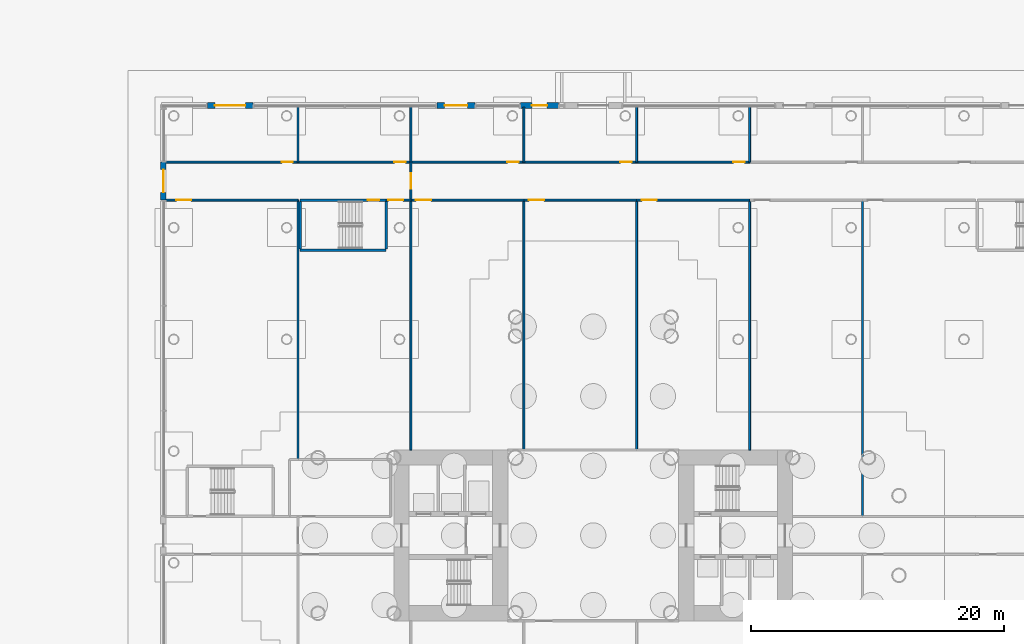
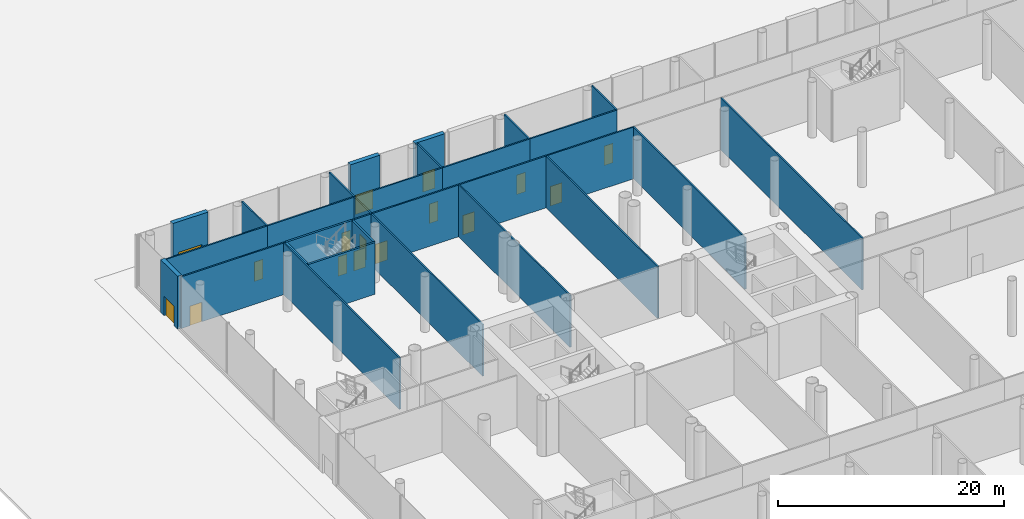
# One storey, part 34 of 75: 30 walls, 16 doors, 16 openings.
"""IFC4 building model written with IfcOpenShell, lengths in metres."""

from ifc_helpers import new_model, si_unit, direction, frame, frame_2d, origin, place, context, subcontext, project, spatial, rectangle, extrude, material, layer, layer_set, type_object, element, fill, save


model = new_model("IFC4")

# Units and contexts
model_context = context("Model", 3, precision=1e-05, world=origin(), true_north=direction((0.0, 1.0)))
body_context = subcontext(model_context, "Body", "Model", "MODEL_VIEW")
ifc_project = project(units=[si_unit("LENGTHUNIT", "METRE"), si_unit("AREAUNIT", "SQUARE_METRE"), si_unit("VOLUMEUNIT", "CUBIC_METRE"), si_unit("PLANEANGLEUNIT", "RADIAN"), si_unit("MASSUNIT", "GRAM", prefix="KILO")], contexts=[model_context])

# Site, building, storey
site_placement = place(None, origin())
site = spatial("IfcSite", under=ifc_project, at=site_placement, CompositionType="ELEMENT")
building_placement = place(site_placement, origin())
building = spatial("IfcBuilding", under=site, at=building_placement, Name="Ipe Terrace Towers", CompositionType="ELEMENT")
storey_placement = place(building_placement, origin())
storey = spatial("IfcBuildingStorey", under=building, at=storey_placement, Name="L00", CompositionType="ELEMENT", Elevation=0.0)

# Wall, opening, door
ifc_material_1 = material(Name="Gypsum board partition", Category="plasterboard")
ifc_layer_1 = layer(ifc_material_1, 0.14990234375)
ifc_layer_set_1 = layer_set([ifc_layer_1], Name="Gypsum board partition 150 mm")
wall_type_1 = type_object("IfcWallType", Name="Gypsum board partition 150 mm", PredefinedType="PARTITIONING", material=ifc_layer_set_1)
wall_1_placement = place(storey_placement, frame((-69.85009765625, 26.5, 0.0), z_axis=(0.0, 0.0, 1.0), x_axis=(1.0, 0.0, 0.0)))
wall_1 = element("IfcWall", 1, at=wall_1_placement, inside=storey, type_object=wall_type_1, Name="Gypsum board partition T1 L00 pd-r0-w2", PredefinedType="PARTITIONING", context=body_context, shape_type="SweptSolid", body=[
    extrude(rectangle(XDim=10.52001953125, YDim=0.14990234375, at=frame_2d((5.260009765625, 0.0))), origin(), (0.0, 0.0, 1.0), 5.580078125),
])
opening_1_placement = place(wall_1_placement, frame((0.89990234375, 0.0, 0.0)))
opening_1 = element("IfcOpeningElement", 2, at=opening_1_placement, cuts=wall_1, Name="Opening PD-L00-r0", PredefinedType="OPENING", context=body_context, shape_type="SweptSolid", body=[
    extrude(rectangle(XDim=1.199951171875, YDim=2.10009765625, at=frame_2d((0.60009765625, 1.050048828125))), frame((0.0, 0.0849609375, 0.0), z_axis=(0.0, -1.0, 0.0), x_axis=(1.0, 0.0, 0.0)), (0.0, 0.0, 1.0), 0.169921875),
])
ifc_material_2 = material(Name="Fire-rated timber door leaf", Category="wood")
door_type_1 = type_object("IfcDoorType", Name="Lounge door 1200 x 2100 FD30S", OperationType="NOTDEFINED", PredefinedType="DOOR", material=ifc_material_2)
door_1_placement = place(opening_1_placement, origin())
door_1 = element("IfcDoor", 3, at=door_1_placement, inside=storey, type_object=door_type_1, Name="Lounge door PD-L00-r0", OperationType="SINGLE_SWING_RIGHT", OverallHeight=2.10009765625, OverallWidth=1.199951171875, PredefinedType="DOOR", context=body_context, shape_type="SweptSolid", body=[
    extrude(rectangle(XDim=1.199951171875, YDim=2.10009765625, at=frame_2d((0.60009765625, 1.050048828125))), frame((0.0, 0.02490234375, 0.0), z_axis=(0.0, -1.0, 0.0), x_axis=(1.0, 0.0, 0.0)), (0.0, 0.0, 1.0), 0.050048828125),
])
fill(opening_1, door_1)

# Wall
wall_2_placement = place(storey_placement, frame((-59.330078125, 26.5, 0.0), z_axis=(0.0, 0.0, 1.0), x_axis=(0.0, -1.0, 0.0)))
element("IfcWall", 4, at=wall_2_placement, inside=storey, type_object=wall_type_1, Name="Gypsum board partition T1 L00 pd-r0-r7-w3", PredefinedType="PARTITIONING", context=body_context, shape_type="SweptSolid", body=[
    extrude(rectangle(XDim=20.5, YDim=0.14990234375, at=frame_2d((10.25, 0.0))), origin(), (0.0, 0.0, 1.0), 5.580078125),
])

# Wall, opening, door
wall_3_placement = place(storey_placement, frame((-59.330078125, 29.5, 0.0), z_axis=(0.0, 0.0, 1.0), x_axis=(-1.0, 0.0, 0.0)))
wall_3 = element("IfcWall", 5, at=wall_3_placement, inside=storey, type_object=wall_type_1, Name="Gypsum board partition T1 L00 pd-r3-w9", PredefinedType="PARTITIONING", context=body_context, shape_type="SweptSolid", body=[
    extrude(rectangle(XDim=10.52001953125, YDim=0.14990234375, at=frame_2d((5.260009765625, 0.0))), origin(), (0.0, 0.0, 1.0), 5.580078125),
])
opening_2_placement = place(wall_3_placement, frame((0.39990234375, 0.0, 0.0)))
opening_2 = element("IfcOpeningElement", 6, at=opening_2_placement, cuts=wall_3, Name="Opening PD-L00-r3", PredefinedType="OPENING", context=body_context, shape_type="SweptSolid", body=[
    extrude(rectangle(XDim=0.89990234375, YDim=2.10009765625, at=frame_2d((0.449951171875, 1.050048828125))), frame((0.0, 0.0849609375, 0.0), z_axis=(0.0, -1.0, 0.0), x_axis=(1.0, 0.0, 0.0)), (0.0, 0.0, 1.0), 0.169921875),
])
ifc_material_3 = material(Name="Fire-rated timber door leaf", Category="wood")
door_type_2 = type_object("IfcDoorType", Name="Lounge door 900 x 2100 FD30S", OperationType="NOTDEFINED", PredefinedType="DOOR", material=ifc_material_3)
door_2_placement = place(opening_2_placement, origin())
door_2 = element("IfcDoor", 7, at=door_2_placement, inside=storey, type_object=door_type_2, Name="Lounge door PD-L00-r3", OperationType="SINGLE_SWING_RIGHT", OverallHeight=2.10009765625, OverallWidth=0.89990234375, PredefinedType="DOOR", context=body_context, shape_type="SweptSolid", body=[
    extrude(rectangle(XDim=0.89990234375, YDim=2.10009765625, at=frame_2d((0.449951171875, 1.050048828125))), frame((0.0, 0.02490234375, 0.0), z_axis=(0.0, -1.0, 0.0), x_axis=(1.0, 0.0, 0.0)), (0.0, 0.0, 1.0), 0.050048828125),
])
fill(opening_2, door_2)

# Wall
wall_4_placement = place(storey_placement, frame((-59.330078125, 33.85009765625, 0.0), z_axis=(0.0, 0.0, 1.0), x_axis=(0.0, -1.0, 0.0)))
element("IfcWall", 8, at=wall_4_placement, inside=storey, type_object=wall_type_1, Name="Gypsum board partition T1 L00 pd-r3-r6-w10", PredefinedType="PARTITIONING", context=body_context, shape_type="SweptSolid", body=[
    extrude(rectangle(XDim=4.35009765625, YDim=0.14990234375, at=frame_2d((2.175048828125, 0.0))), origin(), (0.0, 0.0, 1.0), 5.580078125),
])

# Wall, opening, door
wall_5_placement = place(storey_placement, frame((-50.409912109375, 29.5, 0.0), z_axis=(0.0, 0.0, 1.0), x_axis=(-1.0, 0.0, 0.0)))
wall_5 = element("IfcWall", 9, at=wall_5_placement, inside=storey, type_object=wall_type_1, Name="Gypsum board partition T1 L00 pd-r6-w16", PredefinedType="PARTITIONING", context=body_context, shape_type="SweptSolid", body=[
    extrude(rectangle(XDim=8.920166015625, YDim=0.14990234375, at=frame_2d((4.4599609375, 0.0))), origin(), (0.0, 0.0, 1.0), 5.580078125),
])
opening_3_placement = place(wall_5_placement, frame((0.39990234375, 0.0, 0.0)))
opening_3 = element("IfcOpeningElement", 10, at=opening_3_placement, cuts=wall_5, Name="Opening PD-L00-r6", PredefinedType="OPENING", context=body_context, shape_type="SweptSolid", body=[
    extrude(rectangle(XDim=0.89990234375, YDim=2.10009765625, at=frame_2d((0.449951171875, 1.050048828125))), frame((0.0, 0.0849609375, 0.0), z_axis=(0.0, -1.0, 0.0), x_axis=(1.0, 0.0, 0.0)), (0.0, 0.0, 1.0), 0.169921875),
])
door_3_placement = place(opening_3_placement, origin())
door_3 = element("IfcDoor", 11, at=door_3_placement, inside=storey, type_object=door_type_2, Name="Lounge door PD-L00-r6", OperationType="SINGLE_SWING_RIGHT", OverallHeight=2.10009765625, OverallWidth=0.89990234375, PredefinedType="DOOR", context=body_context, shape_type="SweptSolid", body=[
    extrude(rectangle(XDim=0.89990234375, YDim=2.10009765625, at=frame_2d((0.449951171875, 1.050048828125))), frame((0.0, 0.02490234375, 0.0), z_axis=(0.0, -1.0, 0.0), x_axis=(1.0, 0.0, 0.0)), (0.0, 0.0, 1.0), 0.050048828125),
])
fill(opening_3, door_3)

wall_6_placement = place(storey_placement, frame((-52.3701171875, 26.5, 0.0), z_axis=(0.0, 0.0, 1.0), x_axis=(1.0, 0.0, 0.0)))
wall_6 = element("IfcWall", 12, at=wall_6_placement, inside=storey, type_object=wall_type_1, Name="Gypsum board partition T1 L00 pd-r7-w17", PredefinedType="PARTITIONING", context=body_context, shape_type="SweptSolid", body=[
    extrude(rectangle(XDim=1.960205078125, YDim=0.14990234375, at=frame_2d((0.97998046875, 0.0))), origin(), (0.0, 0.0, 1.0), 5.580078125),
])
opening_4_placement = place(wall_6_placement, frame((0.14990234375, 0.0, 0.0)))
opening_4 = element("IfcOpeningElement", 13, at=opening_4_placement, cuts=wall_6, Name="Opening PD-L00-r7", PredefinedType="OPENING", context=body_context, shape_type="SweptSolid", body=[
    extrude(rectangle(XDim=1.199951171875, YDim=2.10009765625, at=frame_2d((0.60009765625, 1.050048828125))), frame((0.0, 0.0849609375, 0.0), z_axis=(0.0, -1.0, 0.0), x_axis=(1.0, 0.0, 0.0)), (0.0, 0.0, 1.0), 0.169921875),
])
door_4_placement = place(opening_4_placement, origin())
door_4 = element("IfcDoor", 14, at=door_4_placement, inside=storey, type_object=door_type_1, Name="Lounge door PD-L00-r7", OperationType="SINGLE_SWING_RIGHT", OverallHeight=2.10009765625, OverallWidth=1.199951171875, PredefinedType="DOOR", context=body_context, shape_type="SweptSolid", body=[
    extrude(rectangle(XDim=1.199951171875, YDim=2.10009765625, at=frame_2d((0.60009765625, 1.050048828125))), frame((0.0, 0.02490234375, 0.0), z_axis=(0.0, -1.0, 0.0), x_axis=(1.0, 0.0, 0.0)), (0.0, 0.0, 1.0), 0.050048828125),
])
fill(opening_4, door_4)

wall_7_placement = place(storey_placement, frame((-41.489990234375, 29.5, 0.0), z_axis=(0.0, 0.0, 1.0), x_axis=(-1.0, 0.0, 0.0)))
wall_7 = element("IfcWall", 15, at=wall_7_placement, inside=storey, type_object=wall_type_1, Name="Gypsum board partition T1 L00 pd-r10-w21", PredefinedType="PARTITIONING", context=body_context, shape_type="SweptSolid", body=[
    extrude(rectangle(XDim=8.919921875, YDim=0.14990234375, at=frame_2d((4.4599609375, 0.0))), origin(), (0.0, 0.0, 1.0), 5.580078125),
])
opening_5_placement = place(wall_7_placement, frame((0.39990234375, 0.0, 0.0)))
opening_5 = element("IfcOpeningElement", 16, at=opening_5_placement, cuts=wall_7, Name="Opening PD-L00-r10", PredefinedType="OPENING", context=body_context, shape_type="SweptSolid", body=[
    extrude(rectangle(XDim=0.89990234375, YDim=2.10009765625, at=frame_2d((0.449951171875, 1.050048828125))), frame((0.0, 0.0849609375, 0.0), z_axis=(0.0, -1.0, 0.0), x_axis=(1.0, 0.0, 0.0)), (0.0, 0.0, 1.0), 0.169921875),
])
door_5_placement = place(opening_5_placement, origin())
door_5 = element("IfcDoor", 17, at=door_5_placement, inside=storey, type_object=door_type_2, Name="Lounge door PD-L00-r10", OperationType="SINGLE_SWING_RIGHT", OverallHeight=2.10009765625, OverallWidth=0.89990234375, PredefinedType="DOOR", context=body_context, shape_type="SweptSolid", body=[
    extrude(rectangle(XDim=0.89990234375, YDim=2.10009765625, at=frame_2d((0.449951171875, 1.050048828125))), frame((0.0, 0.02490234375, 0.0), z_axis=(0.0, -1.0, 0.0), x_axis=(1.0, 0.0, 0.0)), (0.0, 0.0, 1.0), 0.050048828125),
])
fill(opening_5, door_5)

# Walls
for number, where, z_axis, x_axis, name in (
    (18, (-50.409912109375, 29.5, 0.0), (0.0, 0.0, 1.0), (0.0, 1.0, 0.0), "Gypsum board partition T1 L00 pd-r10-r6-w22"),
    (19, (-41.489990234375, 33.85009765625, 0.0), (0.0, 0.0, 1.0), (0.0, -1.0, 0.0), "Gypsum board partition T1 L00 pd-r10-r15-w23"),
):
    element("IfcWall", number, at=place(storey_placement, frame(where, z_axis=z_axis, x_axis=x_axis)), inside=storey, type_object=wall_type_1, Name=name, PredefinedType="PARTITIONING", context=body_context, shape_type="SweptSolid", body=[
        extrude(rectangle(XDim=4.35009765625, YDim=0.14990234375, at=frame_2d((2.175048828125, 0.0))), origin(), (0.0, 0.0, 1.0), 5.580078125),
    ])

# Wall, opening, door
wall_8_placement = place(storey_placement, frame((-50.409912109375, 26.5, 0.0), z_axis=(0.0, 0.0, 1.0), x_axis=(1.0, 0.0, 0.0)))
wall_8 = element("IfcWall", 20, at=wall_8_placement, inside=storey, type_object=wall_type_1, Name="Gypsum board partition T1 L00 pd-r11-w24", PredefinedType="PARTITIONING", context=body_context, shape_type="SweptSolid", body=[
    extrude(rectangle(XDim=8.919921875, YDim=0.14990234375, at=frame_2d((4.4599609375, 0.0))), origin(), (0.0, 0.0, 1.0), 5.580078125),
])
opening_6_placement = place(wall_8_placement, frame((0.39990234375, 0.0, 0.0)))
opening_6 = element("IfcOpeningElement", 21, at=opening_6_placement, cuts=wall_8, Name="Opening PD-L00-r11", PredefinedType="OPENING", context=body_context, shape_type="SweptSolid", body=[
    extrude(rectangle(XDim=1.199951171875, YDim=2.10009765625, at=frame_2d((0.60009765625, 1.050048828125))), frame((0.0, 0.0849609375, 0.0), z_axis=(0.0, -1.0, 0.0), x_axis=(1.0, 0.0, 0.0)), (0.0, 0.0, 1.0), 0.169921875),
])
door_6_placement = place(opening_6_placement, origin())
door_6 = element("IfcDoor", 22, at=door_6_placement, inside=storey, type_object=door_type_1, Name="Lounge door PD-L00-r11", OperationType="SINGLE_SWING_RIGHT", OverallHeight=2.10009765625, OverallWidth=1.199951171875, PredefinedType="DOOR", context=body_context, shape_type="SweptSolid", body=[
    extrude(rectangle(XDim=1.199951171875, YDim=2.10009765625, at=frame_2d((0.60009765625, 1.050048828125))), frame((0.0, 0.02490234375, 0.0), z_axis=(0.0, -1.0, 0.0), x_axis=(1.0, 0.0, 0.0)), (0.0, 0.0, 1.0), 0.050048828125),
])
fill(opening_6, door_6)

# Walls
for number, where, z_axis, x_axis, name in (
    (23, (-50.409912109375, 6.75, 0.0), (0.0, 0.0, 1.0), (0.0, 1.0, 0.0), "Gypsum board partition T1 L00 pd-r11-r7-w26"),
    (24, (-41.489990234375, 26.5, 0.0), (0.0, 0.0, 1.0), (0.0, -1.0, 0.0), "Gypsum board partition T1 L00 pd-r11-r14-w27"),
):
    element("IfcWall", number, at=place(storey_placement, frame(where, z_axis=z_axis, x_axis=x_axis)), inside=storey, type_object=wall_type_1, Name=name, PredefinedType="PARTITIONING", context=body_context, shape_type="SweptSolid", body=[
        extrude(rectangle(XDim=19.75, YDim=0.14990234375, at=frame_2d((9.875, 0.0))), origin(), (0.0, 0.0, 1.0), 5.580078125),
    ])

# Wall, opening, door
wall_9_placement = place(storey_placement, frame((-41.489990234375, 26.5, 0.0), z_axis=(0.0, 0.0, 1.0), x_axis=(1.0, 0.0, 0.0)))
wall_9 = element("IfcWall", 25, at=wall_9_placement, inside=storey, type_object=wall_type_1, Name="Gypsum board partition T1 L00 pd-r14-w35", PredefinedType="PARTITIONING", context=body_context, shape_type="SweptSolid", body=[
    extrude(rectangle(XDim=8.919921875, YDim=0.14990234375, at=frame_2d((4.4599609375, 0.0))), origin(), (0.0, 0.0, 1.0), 5.580078125),
])
opening_7_placement = place(wall_9_placement, frame((0.39990234375, 0.0, 0.0)))
opening_7 = element("IfcOpeningElement", 26, at=opening_7_placement, cuts=wall_9, Name="Opening PD-L00-r14", PredefinedType="OPENING", context=body_context, shape_type="SweptSolid", body=[
    extrude(rectangle(XDim=1.199951171875, YDim=2.10009765625, at=frame_2d((0.60009765625, 1.050048828125))), frame((0.0, 0.0849609375, 0.0), z_axis=(0.0, -1.0, 0.0), x_axis=(1.0, 0.0, 0.0)), (0.0, 0.0, 1.0), 0.169921875),
])
door_7_placement = place(opening_7_placement, origin())
door_7 = element("IfcDoor", 27, at=door_7_placement, inside=storey, type_object=door_type_1, Name="Lounge door PD-L00-r14", OperationType="SINGLE_SWING_RIGHT", OverallHeight=2.10009765625, OverallWidth=1.199951171875, PredefinedType="DOOR", context=body_context, shape_type="SweptSolid", body=[
    extrude(rectangle(XDim=1.199951171875, YDim=2.10009765625, at=frame_2d((0.60009765625, 1.050048828125))), frame((0.0, 0.02490234375, 0.0), z_axis=(0.0, -1.0, 0.0), x_axis=(1.0, 0.0, 0.0)), (0.0, 0.0, 1.0), 0.050048828125),
])
fill(opening_7, door_7)

# Wall
wall_10_placement = place(storey_placement, frame((-32.570068359375, 26.5, 0.0), z_axis=(0.0, 0.0, 1.0), x_axis=(0.0, -1.0, 0.0)))
element("IfcWall", 28, at=wall_10_placement, inside=storey, type_object=wall_type_1, Name="Gypsum board partition T1 L00 pd-r14-r18-w37", PredefinedType="PARTITIONING", context=body_context, shape_type="SweptSolid", body=[
    extrude(rectangle(XDim=19.75, YDim=0.14990234375, at=frame_2d((9.875, 0.0))), origin(), (0.0, 0.0, 1.0), 5.580078125),
])

# Wall, opening, door
wall_11_placement = place(storey_placement, frame((-32.570068359375, 29.5, 0.0), z_axis=(0.0, 0.0, 1.0), x_axis=(-1.0, 0.0, 0.0)))
wall_11 = element("IfcWall", 29, at=wall_11_placement, inside=storey, type_object=wall_type_1, Name="Gypsum board partition T1 L00 pd-r15-w38", PredefinedType="PARTITIONING", context=body_context, shape_type="SweptSolid", body=[
    extrude(rectangle(XDim=8.919921875, YDim=0.14990234375, at=frame_2d((4.4599609375, 0.0))), origin(), (0.0, 0.0, 1.0), 5.580078125),
])
opening_8_placement = place(wall_11_placement, frame((0.39990234375, 0.0, 0.0)))
opening_8 = element("IfcOpeningElement", 30, at=opening_8_placement, cuts=wall_11, Name="Opening PD-L00-r15", PredefinedType="OPENING", context=body_context, shape_type="SweptSolid", body=[
    extrude(rectangle(XDim=0.89990234375, YDim=2.10009765625, at=frame_2d((0.449951171875, 1.050048828125))), frame((0.0, 0.0849609375, 0.0), z_axis=(0.0, -1.0, 0.0), x_axis=(1.0, 0.0, 0.0)), (0.0, 0.0, 1.0), 0.169921875),
])
door_8_placement = place(opening_8_placement, origin())
door_8 = element("IfcDoor", 31, at=door_8_placement, inside=storey, type_object=door_type_2, Name="Lounge door PD-L00-r15", OperationType="SINGLE_SWING_RIGHT", OverallHeight=2.10009765625, OverallWidth=0.89990234375, PredefinedType="DOOR", context=body_context, shape_type="SweptSolid", body=[
    extrude(rectangle(XDim=0.89990234375, YDim=2.10009765625, at=frame_2d((0.449951171875, 1.050048828125))), frame((0.0, 0.02490234375, 0.0), z_axis=(0.0, -1.0, 0.0), x_axis=(1.0, 0.0, 0.0)), (0.0, 0.0, 1.0), 0.050048828125),
])
fill(opening_8, door_8)

# Wall
wall_12_placement = place(storey_placement, frame((-32.570068359375, 33.85009765625, 0.0), z_axis=(0.0, 0.0, 1.0), x_axis=(0.0, -1.0, 0.0)))
element("IfcWall", 32, at=wall_12_placement, inside=storey, type_object=wall_type_1, Name="Gypsum board partition T1 L00 pd-r15-r19-w39", PredefinedType="PARTITIONING", context=body_context, shape_type="SweptSolid", body=[
    extrude(rectangle(XDim=4.35009765625, YDim=0.14990234375, at=frame_2d((2.175048828125, 0.0))), origin(), (0.0, 0.0, 1.0), 5.580078125),
])

# Wall, opening, door
wall_13_placement = place(storey_placement, frame((-32.570068359375, 26.5, 0.0), z_axis=(0.0, 0.0, 1.0), x_axis=(1.0, 0.0, 0.0)))
wall_13 = element("IfcWall", 33, at=wall_13_placement, inside=storey, type_object=wall_type_1, Name="Gypsum board partition T1 L00 pd-r18-w46", PredefinedType="PARTITIONING", context=body_context, shape_type="SweptSolid", body=[
    extrude(rectangle(XDim=8.920166015625, YDim=0.14990234375, at=frame_2d((4.4599609375, 0.0))), origin(), (0.0, 0.0, 1.0), 5.580078125),
])
opening_9_placement = place(wall_13_placement, frame((0.39990234375, 0.0, 0.0)))
opening_9 = element("IfcOpeningElement", 34, at=opening_9_placement, cuts=wall_13, Name="Opening PD-L00-r18", PredefinedType="OPENING", context=body_context, shape_type="SweptSolid", body=[
    extrude(rectangle(XDim=1.199951171875, YDim=2.10009765625, at=frame_2d((0.60009765625, 1.050048828125))), frame((0.0, 0.0849609375, 0.0), z_axis=(0.0, -1.0, 0.0), x_axis=(1.0, 0.0, 0.0)), (0.0, 0.0, 1.0), 0.169921875),
])
door_9_placement = place(opening_9_placement, origin())
door_9 = element("IfcDoor", 35, at=door_9_placement, inside=storey, type_object=door_type_1, Name="Lounge door PD-L00-r18", OperationType="SINGLE_SWING_RIGHT", OverallHeight=2.10009765625, OverallWidth=1.199951171875, PredefinedType="DOOR", context=body_context, shape_type="SweptSolid", body=[
    extrude(rectangle(XDim=1.199951171875, YDim=2.10009765625, at=frame_2d((0.60009765625, 1.050048828125))), frame((0.0, 0.02490234375, 0.0), z_axis=(0.0, -1.0, 0.0), x_axis=(1.0, 0.0, 0.0)), (0.0, 0.0, 1.0), 0.050048828125),
])
fill(opening_9, door_9)

# Wall
wall_14_placement = place(storey_placement, frame((-23.64990234375, 26.5, 0.0), z_axis=(0.0, 0.0, 1.0), x_axis=(0.0, -1.0, 0.0)))
element("IfcWall", 36, at=wall_14_placement, inside=storey, type_object=wall_type_1, Name="Gypsum board partition T1 L00 pd-r18-r23-w47", PredefinedType="PARTITIONING", context=body_context, shape_type="SweptSolid", body=[
    extrude(rectangle(XDim=19.75, YDim=0.14990234375, at=frame_2d((9.875, 0.0))), origin(), (0.0, 0.0, 1.0), 5.580078125),
])

# Wall, opening, door
wall_15_placement = place(storey_placement, frame((-23.64990234375, 29.5, 0.0), z_axis=(0.0, 0.0, 1.0), x_axis=(-1.0, 0.0, 0.0)))
wall_15 = element("IfcWall", 37, at=wall_15_placement, inside=storey, type_object=wall_type_1, Name="Gypsum board partition T1 L00 pd-r19-w48", PredefinedType="PARTITIONING", context=body_context, shape_type="SweptSolid", body=[
    extrude(rectangle(XDim=8.920166015625, YDim=0.14990234375, at=frame_2d((4.4599609375, 0.0))), origin(), (0.0, 0.0, 1.0), 5.580078125),
])
opening_10_placement = place(wall_15_placement, frame((0.39990234375, 0.0, 0.0)))
opening_10 = element("IfcOpeningElement", 38, at=opening_10_placement, cuts=wall_15, Name="Opening PD-L00-r19", PredefinedType="OPENING", context=body_context, shape_type="SweptSolid", body=[
    extrude(rectangle(XDim=0.89990234375, YDim=2.10009765625, at=frame_2d((0.449951171875, 1.050048828125))), frame((0.0, 0.0849609375, 0.0), z_axis=(0.0, -1.0, 0.0), x_axis=(1.0, 0.0, 0.0)), (0.0, 0.0, 1.0), 0.169921875),
])
door_10_placement = place(opening_10_placement, origin())
door_10 = element("IfcDoor", 39, at=door_10_placement, inside=storey, type_object=door_type_2, Name="Lounge door PD-L00-r19", OperationType="SINGLE_SWING_RIGHT", OverallHeight=2.10009765625, OverallWidth=0.89990234375, PredefinedType="DOOR", context=body_context, shape_type="SweptSolid", body=[
    extrude(rectangle(XDim=0.89990234375, YDim=2.10009765625, at=frame_2d((0.449951171875, 1.050048828125))), frame((0.0, 0.02490234375, 0.0), z_axis=(0.0, -1.0, 0.0), x_axis=(1.0, 0.0, 0.0)), (0.0, 0.0, 1.0), 0.050048828125),
])
fill(opening_10, door_10)

# Walls
wall_16_placement = place(storey_placement, frame((-23.64990234375, 33.85009765625, 0.0), z_axis=(0.0, 0.0, 1.0), x_axis=(0.0, -1.0, 0.0)))
element("IfcWall", 40, at=wall_16_placement, inside=storey, type_object=wall_type_1, Name="Gypsum board partition T1 L00 pd-r19-r21-w49", PredefinedType="PARTITIONING", context=body_context, shape_type="SweptSolid", body=[
    extrude(rectangle(XDim=4.35009765625, YDim=0.14990234375, at=frame_2d((2.175048828125, 0.0))), origin(), (0.0, 0.0, 1.0), 5.580078125),
])
wall_17_placement = place(storey_placement, frame((-14.72998046875, 26.5, 0.0), z_axis=(0.0, 0.0, 1.0), x_axis=(0.0, -1.0, 0.0)))
element("IfcWall", 41, at=wall_17_placement, inside=storey, type_object=wall_type_1, Name="Gypsum board partition T1 L00 pd-r23-r26-w59", PredefinedType="PARTITIONING", context=body_context, shape_type="SweptSolid", body=[
    extrude(rectangle(XDim=25.0, YDim=0.14990234375, at=frame_2d((12.5, 0.0))), origin(), (0.0, 0.0, 1.0), 5.580078125),
])

# Wall, opening, door
wall_18_placement = place(storey_placement, frame((-50.409912109375, 26.5, 0.0), z_axis=(0.0, 0.0, 1.0), x_axis=(0.0, 1.0, 0.0)))
wall_18 = element("IfcWall", 42, at=wall_18_placement, inside=storey, type_object=wall_type_1, Name="Gypsum board partition T1 L00 pd-xp1", PredefinedType="PARTITIONING", context=body_context, shape_type="SweptSolid", body=[
    extrude(rectangle(XDim=3.0, YDim=0.14990234375, at=frame_2d((1.5, 0.0))), origin(), (0.0, 0.0, 1.0), 5.580078125),
])
opening_11_placement = place(wall_18_placement, frame((0.89990234375, 0.0, 0.0)))
opening_11 = element("IfcOpeningElement", 43, at=opening_11_placement, cuts=wall_18, Name="Opening PD-L00-XP1", PredefinedType="OPENING", context=body_context, shape_type="SweptSolid", body=[
    extrude(rectangle(XDim=1.199951171875, YDim=2.10009765625, at=frame_2d((0.60009765625, 1.050048828125))), frame((0.0, 0.0849609375, 0.0), z_axis=(0.0, -1.0, 0.0), x_axis=(1.0, 0.0, 0.0)), (0.0, 0.0, 1.0), 0.169921875),
])
ifc_material_4 = material(Name="Fire-rated timber door leaf", Category="wood")
door_type_3 = type_object("IfcDoorType", Name="Fire door 1200 x 2100 FD60", OperationType="NOTDEFINED", PredefinedType="DOOR", material=ifc_material_4)
door_11_placement = place(opening_11_placement, origin())
door_11 = element("IfcDoor", 44, at=door_11_placement, inside=storey, type_object=door_type_3, Name="Fire door PD-L00-XP1", OperationType="SINGLE_SWING_RIGHT", OverallHeight=2.10009765625, OverallWidth=1.199951171875, PredefinedType="DOOR", context=body_context, shape_type="SweptSolid", body=[
    extrude(rectangle(XDim=1.199951171875, YDim=2.10009765625, at=frame_2d((0.60009765625, 1.050048828125))), frame((0.0, 0.02490234375, 0.0), z_axis=(0.0, -1.0, 0.0), x_axis=(1.0, 0.0, 0.0)), (0.0, 0.0, 1.0), 0.050048828125),
])
fill(opening_11, door_11)

ifc_material_5 = material(Name="Concrete C40/50 with buff precast cladding", Category="concrete")
ifc_layer_2 = layer(ifc_material_5, 0.43994140625)
ifc_layer_set_2 = layer_set([ifc_layer_2], Name="PODIUM CLADDING WALL 440")
wall_type_2 = type_object("IfcWallType", Name="PODIUM CLADDING WALL 440", PredefinedType="STANDARD", material=ifc_layer_set_2)
wall_19_placement = place(storey_placement, frame((-38.75, 33.969970703125, 0.0), z_axis=(0.0, 0.0, 1.0), x_axis=(-1.0, 0.0, 0.0)))
wall_19 = element("IfcWall", 45, at=wall_19_placement, inside=storey, type_object=wall_type_2, Name="POD-W-L00-01v wall", PredefinedType="STANDARD", context=body_context, shape_type="SweptSolid", body=[
    extrude(rectangle(XDim=3.0, YDim=0.43994140625, at=frame_2d((1.5, 0.0))), origin(), (0.0, 0.0, 1.0), 5.699951171875),
])
opening_12_placement = place(wall_19_placement, frame((0.89990234375, 0.0, 0.0)))
opening_12 = element("IfcOpeningElement", 46, at=opening_12_placement, cuts=wall_19, Name="Opening POD-D-L00-06", PredefinedType="OPENING", context=body_context, shape_type="SweptSolid", body=[
    extrude(rectangle(XDim=1.199951171875, YDim=2.10009765625, at=frame_2d((0.60009765625, 1.050048828125))), frame((0.0, 0.22998046875, 0.0), z_axis=(0.0, -1.0, 0.0), x_axis=(1.0, 0.0, 0.0)), (0.0, 0.0, 1.0), 0.4599609375),
])
ifc_material_6 = material(Name="Aluminium alloy 6063-T6 framed glazed door", Category="aluminium")
door_type_4 = type_object("IfcDoorType", Name="ACCESSIBLE ENTRANCE DOOR 1200 x 2100", OperationType="SINGLE_SWING_LEFT", PredefinedType="DOOR", material=ifc_material_6)
door_12_placement = place(opening_12_placement, origin())
door_12 = element("IfcDoor", 47, at=door_12_placement, inside=storey, type_object=door_type_4, Name="DE2 accessible entrance door", OperationType="SINGLE_SWING_LEFT", OverallHeight=2.10009765625, OverallWidth=1.199951171875, PredefinedType="DOOR", context=body_context, shape_type="SweptSolid", body=[
    extrude(rectangle(XDim=1.199951171875, YDim=2.10009765625, at=frame_2d((0.60009765625, 1.050048828125))), frame((0.0, 0.02490234375, 0.0), z_axis=(0.0, -1.0, 0.0), x_axis=(1.0, 0.0, 0.0)), (0.0, 0.0, 1.0), 0.050048828125),
])
fill(opening_12, door_12)

wall_20_placement = place(storey_placement, frame((-45.35009765625, 33.969970703125, 0.0), z_axis=(0.0, 0.0, 1.0), x_axis=(-1.0, 0.0, 0.0)))
wall_20 = element("IfcWall", 48, at=wall_20_placement, inside=storey, type_object=wall_type_2, Name="POD-W-L00-01x wall", PredefinedType="STANDARD", context=body_context, shape_type="SweptSolid", body=[
    extrude(rectangle(XDim=3.0, YDim=0.43994140625, at=frame_2d((1.5, 0.0))), origin(), (0.0, 0.0, 1.0), 5.699951171875),
])
opening_13_placement = place(wall_20_placement, frame((0.60009765625, 0.0, 0.0)))
opening_13 = element("IfcOpeningElement", 49, at=opening_13_placement, cuts=wall_20, Name="Opening POD-D-L00-02", PredefinedType="OPENING", context=body_context, shape_type="SweptSolid", body=[
    extrude(rectangle(XDim=1.800048828125, YDim=2.10009765625, at=frame_2d((0.89990234375, 1.050048828125))), frame((0.0, 0.22998046875, 0.0), z_axis=(0.0, -1.0, 0.0), x_axis=(1.0, 0.0, 0.0)), (0.0, 0.0, 1.0), 0.4599609375),
])
ifc_material_7 = material(Name="Aluminium alloy 6063-T6 framed glazed door", Category="aluminium")
door_type_5 = type_object("IfcDoorType", Name="STREET DOOR 1800 DOUBLE", OperationType="DOUBLE_DOOR_DOUBLE_SWING", PredefinedType="DOOR", material=ifc_material_7)
door_13_placement = place(opening_13_placement, origin())
door_13 = element("IfcDoor", 50, at=door_13_placement, inside=storey, type_object=door_type_5, Name="DS1 street door", OperationType="DOUBLE_DOOR_DOUBLE_SWING", OverallHeight=2.10009765625, OverallWidth=1.800048828125, PredefinedType="DOOR", context=body_context, shape_type="SweptSolid", body=[
    extrude(rectangle(XDim=1.800048828125, YDim=2.10009765625, at=frame_2d((0.89990234375, 1.050048828125))), frame((0.0, 0.02490234375, 0.0), z_axis=(0.0, -1.0, 0.0), x_axis=(1.0, 0.0, 0.0)), (0.0, 0.0, 1.0), 0.050048828125),
])
fill(opening_13, door_13)

wall_21_placement = place(storey_placement, frame((-62.889892578125, 33.969970703125, 0.0), z_axis=(0.0, 0.0, 1.0), x_axis=(-1.0, 0.0, 0.0)))
wall_21 = element("IfcWall", 51, at=wall_21_placement, inside=storey, type_object=wall_type_2, Name="POD-W-L00-01z wall", PredefinedType="STANDARD", context=body_context, shape_type="SweptSolid", body=[
    extrude(rectangle(XDim=3.60009765625, YDim=0.43994140625, at=frame_2d((1.800048828125, 0.0))), origin(), (0.0, 0.0, 1.0), 5.699951171875),
])
opening_14_placement = place(wall_21_placement, frame((0.60009765625, 0.0, 0.0)))
opening_14 = element("IfcOpeningElement", 52, at=opening_14_placement, cuts=wall_21, Name="Opening POD-D-L00-07", PredefinedType="OPENING", context=body_context, shape_type="SweptSolid", body=[
    extrude(rectangle(XDim=2.39990234375, YDim=2.39990234375, at=frame_2d((1.199951171875, 1.199951171875))), frame((0.0, 0.22998046875, 0.0), z_axis=(0.0, -1.0, 0.0), x_axis=(1.0, 0.0, 0.0)), (0.0, 0.0, 1.0), 0.4599609375),
])
ifc_material_8 = material(Name="Aluminium alloy 6063-T6 framed glazed door", Category="aluminium")
door_type_6 = type_object("IfcDoorType", Name="SHOPFRONT DOOR 2400 x 2400 DOUBLE", OperationType="DOUBLE_DOOR_DOUBLE_SWING", PredefinedType="DOOR", material=ifc_material_8)
door_14_placement = place(opening_14_placement, origin())
door_14 = element("IfcDoor", 53, at=door_14_placement, inside=storey, type_object=door_type_6, Name="DS2 shopfront door", OperationType="DOUBLE_DOOR_DOUBLE_SWING", OverallHeight=2.39990234375, OverallWidth=2.39990234375, PredefinedType="DOOR", context=body_context, shape_type="SweptSolid", body=[
    extrude(rectangle(XDim=2.39990234375, YDim=2.39990234375, at=frame_2d((1.199951171875, 1.199951171875))), frame((0.0, 0.02490234375, 0.0), z_axis=(0.0, -1.0, 0.0), x_axis=(1.0, 0.0, 0.0)), (0.0, 0.0, 1.0), 0.050048828125),
])
fill(opening_14, door_14)

wall_22_placement = place(storey_placement, frame((-69.969970703125, 29.5, 0.0), z_axis=(0.0, 0.0, 1.0), x_axis=(0.0, -1.0, 0.0)))
wall_22 = element("IfcWall", 54, at=wall_22_placement, inside=storey, type_object=wall_type_2, Name="POD-W-L00-02b wall", PredefinedType="STANDARD", context=body_context, shape_type="SweptSolid", body=[
    extrude(rectangle(XDim=3.0, YDim=0.43994140625, at=frame_2d((1.5, 0.0))), origin(), (0.0, 0.0, 1.0), 5.699951171875),
])
opening_15_placement = place(wall_22_placement, frame((0.60009765625, 0.0, 0.0)))
opening_15 = element("IfcOpeningElement", 55, at=opening_15_placement, cuts=wall_22, Name="Opening POD-D-L00-01", PredefinedType="OPENING", context=body_context, shape_type="SweptSolid", body=[
    extrude(rectangle(XDim=1.800048828125, YDim=2.10009765625, at=frame_2d((0.89990234375, 1.050048828125))), frame((0.0, 0.22998046875, 0.0), z_axis=(0.0, -1.0, 0.0), x_axis=(1.0, 0.0, 0.0)), (0.0, 0.0, 1.0), 0.4599609375),
])
ifc_material_9 = material(Name="Steel S235 framed glazed exit door", Category="steel")
door_type_7 = type_object("IfcDoorType", Name="EXIT DOOR 1800 DOUBLE", OperationType="DOUBLE_DOOR_DOUBLE_SWING", PredefinedType="DOOR", material=ifc_material_9)
door_15_placement = place(opening_15_placement, origin())
door_15 = element("IfcDoor", 56, at=door_15_placement, inside=storey, type_object=door_type_7, Name="DX1 exit door", OperationType="DOUBLE_DOOR_DOUBLE_SWING", OverallHeight=2.10009765625, OverallWidth=1.800048828125, PredefinedType="DOOR", context=body_context, shape_type="SweptSolid", body=[
    extrude(rectangle(XDim=1.800048828125, YDim=2.10009765625, at=frame_2d((0.89990234375, 1.050048828125))), frame((0.0, 0.02490234375, 0.0), z_axis=(0.0, -1.0, 0.0), x_axis=(1.0, 0.0, 0.0)), (0.0, 0.0, 1.0), 0.050048828125),
])
fill(opening_15, door_15)

ifc_material_10 = material(Name="Concrete C40/50", Category="concrete")
ifc_layer_3 = layer(ifc_material_10, 0.199951171875)
ifc_layer_set_3 = layer_set([ifc_layer_3], Name="RW200 PODIUM STAIR SHAFT WALL 200 C40-50")
wall_type_3 = type_object("IfcWallType", Name="RW200 PODIUM STAIR SHAFT WALL 200 C40-50", PredefinedType="SHEAR", material=ifc_layer_set_3)
wall_23_placement = place(storey_placement, frame((-59.169921875, 26.5, 0.0), z_axis=(0.0, 0.0, 1.0), x_axis=(1.0, 0.0, 0.0)))
wall_23 = element("IfcWall", 57, at=wall_23_placement, inside=storey, type_object=wall_type_3, Name="Stair shaft wall T1 L00 ps1-c", PredefinedType="SHEAR", context=body_context, shape_type="SweptSolid", body=[
    extrude(rectangle(XDim=6.7998046875, YDim=0.199951171875, at=frame_2d((3.39990234375, 0.0))), origin(), (0.0, 0.0, 1.0), 5.580078125),
])
opening_16_placement = place(wall_23_placement, frame((5.35009765625, 0.0, 0.0)))
opening_16 = element("IfcOpeningElement", 58, at=opening_16_placement, cuts=wall_23, Name="Opening PS1-SD", PredefinedType="OPENING", context=body_context, shape_type="SweptSolid", body=[
    extrude(rectangle(XDim=0.89990234375, YDim=2.10009765625, at=frame_2d((0.449951171875, 1.050048828125))), frame((0.0, 0.10986328125, 0.0), z_axis=(0.0, -1.0, 0.0), x_axis=(1.0, 0.0, 0.0)), (0.0, 0.0, 1.0), 0.219970703125),
])
ifc_material_11 = material(Name="Fire-rated timber door leaf", Category="wood")
door_type_8 = type_object("IfcDoorType", Name="Stair door 900 x 2100 FD60", OperationType="NOTDEFINED", PredefinedType="DOOR", material=ifc_material_11)
door_16_placement = place(opening_16_placement, origin())
door_16 = element("IfcDoor", 59, at=door_16_placement, inside=storey, type_object=door_type_8, Name="Stair door PS1-SD", OperationType="SINGLE_SWING_LEFT", OverallHeight=2.10009765625, OverallWidth=0.89990234375, PredefinedType="DOOR", context=body_context, shape_type="SweptSolid", body=[
    extrude(rectangle(XDim=0.89990234375, YDim=2.10009765625, at=frame_2d((0.449951171875, 1.050048828125))), frame((0.0, 0.02490234375, 0.0), z_axis=(0.0, -1.0, 0.0), x_axis=(1.0, 0.0, 0.0)), (0.0, 0.0, 1.0), 0.050048828125),
])
fill(opening_16, door_16)

# Walls
wall_24_placement = place(storey_placement, frame((-59.169921875, 22.550048828125, 0.0), z_axis=(0.0, 0.0, 1.0), x_axis=(1.0, 0.0, 0.0)))
element("IfcWall", 60, at=wall_24_placement, inside=storey, type_object=wall_type_3, Name="Stair shaft wall T1 L00 ps1-f", PredefinedType="SHEAR", context=body_context, shape_type="SweptSolid", body=[
    extrude(rectangle(XDim=6.7998046875, YDim=0.199951171875, at=frame_2d((3.39990234375, 0.0))), origin(), (0.0, 0.0, 1.0), 5.580078125),
])
for number, where, z_axis, x_axis, name in (
    (61, (-59.169921875, 22.64990234375, 0.0), (0.0, 0.0, 1.0), (0.0, 1.0, 0.0), "Stair shaft wall T1 L00 ps1-w"),
    (62, (-52.3701171875, 22.64990234375, 0.0), (0.0, 0.0, 1.0), (0.0, 1.0, 0.0), "Stair shaft wall T1 L00 ps1-e"),
):
    element("IfcWall", number, at=place(storey_placement, frame(where, z_axis=z_axis, x_axis=x_axis)), inside=storey, type_object=wall_type_3, Name=name, PredefinedType="SHEAR", context=body_context, shape_type="SweptSolid", body=[
        extrude(rectangle(XDim=3.75, YDim=0.199951171875, at=frame_2d((1.875, 0.0))), origin(), (0.0, 0.0, 1.0), 5.580078125),
    ])

save(model, "model.ifc")
